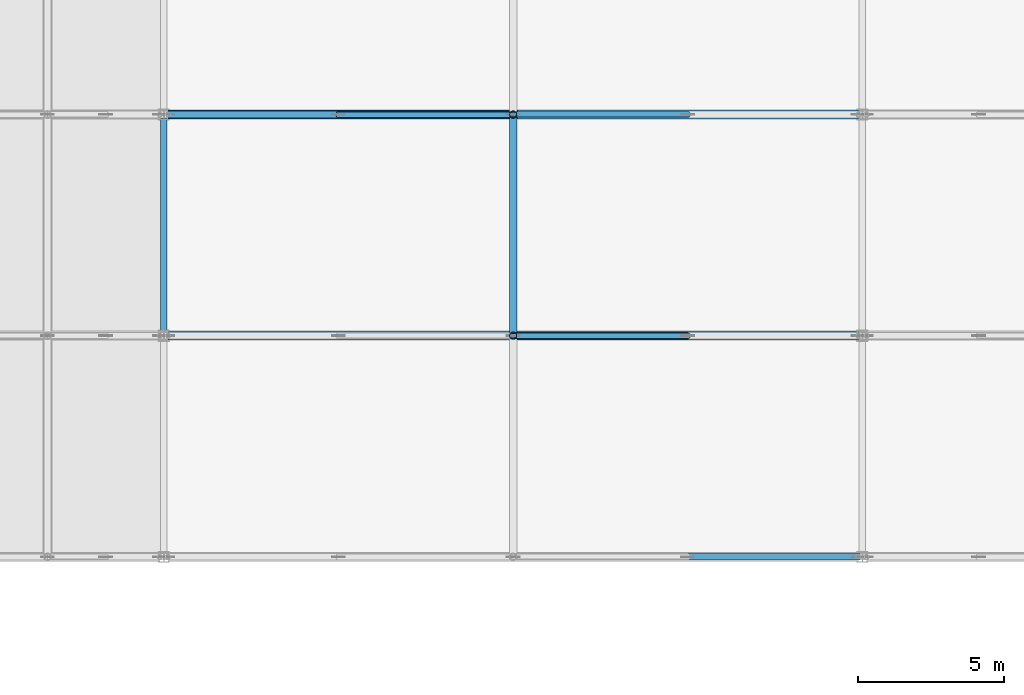
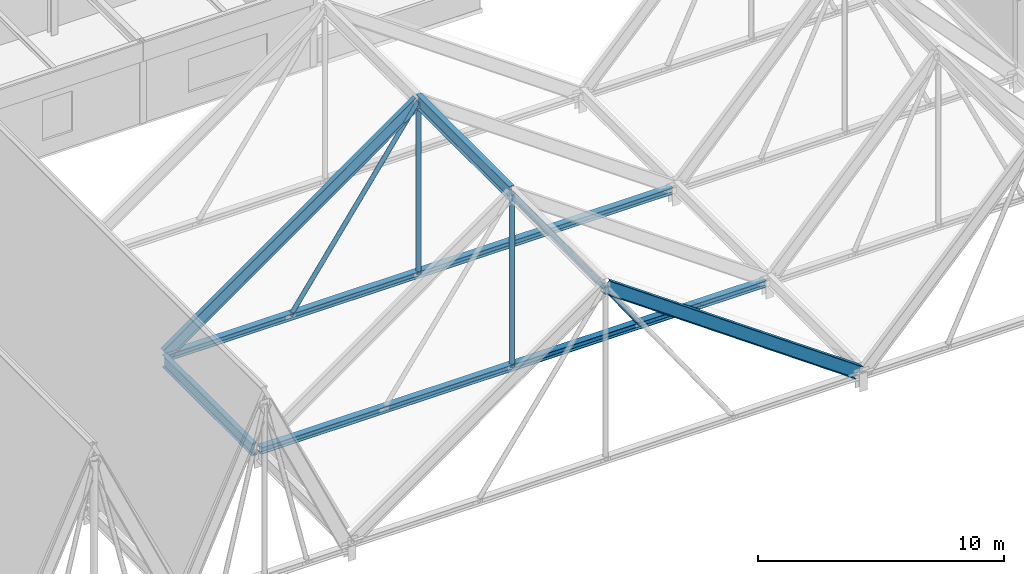
# One storey, part 39 of 85: 7 members, 4 beams.
"""IFC4 building model written with IfcOpenShell, lengths in metres."""

from ifc_helpers import new_model, si_unit, direction, frame, origin, origin_2d, place, context, subcontext, project, spatial, hollow_circle, i_section, extrude, material, material_profile, profile_set, type_object, element, save


model = new_model("IFC4")

# Units and contexts
model_context = context("Model", 3, precision=1e-05, world=origin(), true_north=direction((0.0, 1.0)))
body_context = subcontext(model_context, "Body", "Model", "MODEL_VIEW")
ifc_project = project(units=[si_unit("LENGTHUNIT", "METRE"), si_unit("AREAUNIT", "SQUARE_METRE"), si_unit("VOLUMEUNIT", "CUBIC_METRE"), si_unit("PLANEANGLEUNIT", "RADIAN"), si_unit("MASSUNIT", "GRAM", prefix="KILO")], contexts=[model_context])

# Site, building, storey
site_placement = place(None, origin())
site = spatial("IfcSite", under=ifc_project, at=site_placement, CompositionType="ELEMENT")
building_placement = place(site_placement, origin())
building = spatial("IfcBuilding", under=site, at=building_placement, Name="Zulena Civic Courthouse", CompositionType="ELEMENT")
storey_placement = place(building_placement, frame((0.0, 0.0, 25.199951171875)))
storey = spatial("IfcBuildingStorey", under=building, at=storey_placement, Name="L05", CompositionType="ELEMENT", Elevation=25.199951171875)

# Members
ifc_material_1 = material(Name="Steel ASTM A992 Grade 50", Category="steel")
ifc_material_profile_1 = material_profile(ifc_material_1, i_section(OverallWidth=0.30908203125, OverallDepth=0.322998046875, WebThickness=0.013916015625, FlangeThickness=0.02294921875, FilletRadius=0.01513671875, at=origin_2d()), Name="W12X96")
ifc_profile_set_1 = profile_set([ifc_material_profile_1], Name="Steel ASTM A992 Grade 50")
member_type_1 = type_object("IfcMemberType", Name="Chord_W12X96", PredefinedType="CHORD", material=ifc_profile_set_1)
for number, where, z_axis, x_axis, name in (
    (1, (84.139892578125, 22.800048828125, 0.536376953125), (1.0, 0.0, 0.0), (0.0, 1.0, 0.0), "mem:fold:tie:03:22.8"),
    (2, (84.139892578125, 30.39990234375, 0.536376953125), (1.0, 0.0, 0.0), (0.0, 1.0, 0.0), "mem:fold:tie:03:30.4"),
):
    element("IfcMember", number, at=place(storey_placement, frame(where, z_axis=z_axis, x_axis=x_axis)), inside=storey, type_object=member_type_1, Name=name, PredefinedType="CHORD", context=body_context, shape_type="SweptSolid", body=[
        extrude(i_section(OverallWidth=0.30908203125, OverallDepth=0.322998046875, WebThickness=0.013916015625, FlangeThickness=0.02294921875, FilletRadius=0.01513671875, at=origin_2d()), origin(), (0.0, 0.0, 1.0), 23.72021484375),
    ])

# Beams
ifc_material_profile_2 = material_profile(ifc_material_1, i_section(OverallWidth=0.22802734375, OverallDepth=0.60693359375, WebThickness=0.01123046875, FlangeThickness=0.017333984375, FilletRadius=0.0126953125, at=origin_2d()), Name="W24X76")
ifc_profile_set_2 = profile_set([ifc_material_profile_2], Name="Steel ASTM A992 Grade 50")
beam_type_1 = type_object("IfcBeamType", Name="RoofRafter_W24X76", PredefinedType="BEAM", material=ifc_profile_set_2)
beam_1_placement = place(storey_placement, frame((84.0, 22.93994140625, 0.5029296875), z_axis=(0.0, 1.0, 0.0), x_axis=(-1.0, 0.0, 0.0)))
element("IfcBeam", 3, at=beam_1_placement, inside=storey, type_object=beam_type_1, Name="beam:fold:val:L05:84.0:22.8", PredefinedType="BEAM", context=body_context, shape_type="SweptSolid", body=[
    extrude(i_section(OverallWidth=0.22802734375, OverallDepth=0.60693359375, WebThickness=0.01123046875, FlangeThickness=0.017333984375, FilletRadius=0.0126953125, at=origin_2d()), origin(), (0.0, 0.0, 1.0), 7.320068359375),
])
for number, where, z_axis, x_axis, name in (
    (4, (96.010009765625, 15.199951171875, 9.096435546875), (0.815826895682, 0.0, -0.578296183873), (0.0, 1.0, 0.0), "beam:fold:rafE:03:15.2"),
    (5, (84.139892578125, 30.39990234375, 0.696533203125), (0.815826895682, 0.0, 0.578296183873), (0.0, 1.0, 0.0), "beam:fold:rafW:03:30.4"),
):
    element("IfcBeam", number, at=place(storey_placement, frame(where, z_axis=z_axis, x_axis=x_axis)), inside=storey, type_object=beam_type_1, Name=name, PredefinedType="BEAM", context=body_context, shape_type="SweptSolid", body=[
        extrude(i_section(OverallWidth=0.22802734375, OverallDepth=0.60693359375, WebThickness=0.01123046875, FlangeThickness=0.017333984375, FilletRadius=0.0126953125, at=origin_2d()), origin(), (0.0, 0.0, 1.0), 14.525146484375),
    ])
ifc_material_profile_3 = material_profile(ifc_material_1, i_section(OverallWidth=0.25390625, OverallDepth=0.68798828125, WebThickness=0.01318359375, FlangeThickness=0.02099609375, FilletRadius=0.0166015625, at=origin_2d()), Name="W27X102")
ifc_profile_set_3 = profile_set([ifc_material_profile_3], Name="Steel ASTM A992 Grade 50")
beam_type_2 = type_object("IfcBeamType", Name="RoofRafter_W27X102", PredefinedType="BEAM", material=ifc_profile_set_3)
beam_2_placement = place(storey_placement, frame((96.0, 22.820068359375, 9.096435546875), z_axis=(0.0, 1.0, 0.0), x_axis=(-1.0, 0.0, 0.0)))
element("IfcBeam", 6, at=beam_2_placement, inside=storey, type_object=beam_type_2, Name="beam:fold:ridge:03:22.8", PredefinedType="BEAM", context=body_context, shape_type="SweptSolid", body=[
    extrude(i_section(OverallWidth=0.25390625, OverallDepth=0.68798828125, WebThickness=0.01318359375, FlangeThickness=0.02099609375, FilletRadius=0.0166015625, at=origin_2d()), origin(), (0.0, 0.0, 1.0), 7.559814453125),
])

# Members
ifc_material_2 = material(Name="Steel ASTM A500 Grade C", Category="steel")
ifc_material_profile_4 = material_profile(ifc_material_2, hollow_circle(Radius=0.126953125, WallThickness=0.01171875, at=origin_2d()), Name="HSS10.000X0.500")
ifc_profile_set_4 = profile_set([ifc_material_profile_4], Name="Steel ASTM A500 Grade C")
member_type_2 = type_object("IfcMemberType", Name="RoofWeb_CHS10", PredefinedType="USERDEFINED", material=ifc_profile_set_4)
for number, where, z_axis, x_axis, name in (
    (7, (96.0, 22.800048828125, 0.536376953125), (0.0, 0.0, 1.0), (1.0, 0.0, 0.0), "mem:fold:king:03:22.8"),
    (8, (96.0, 30.39990234375, 0.536376953125), (0.0, 0.0, 1.0), (1.0, 0.0, 0.0), "mem:fold:king:03:30.4"),
):
    element("IfcMember", number, at=place(storey_placement, frame(where, z_axis=z_axis, x_axis=x_axis)), inside=storey, type_object=member_type_2, Name=name, ObjectType="ROOF TRUSS", PredefinedType="USERDEFINED", context=body_context, shape_type="SweptSolid", body=[
        extrude(hollow_circle(Radius=0.126953125, WallThickness=0.01171875, at=origin_2d()), origin(), (0.0, 0.0, 1.0), 8.56005859375),
    ])
ifc_material_profile_5 = material_profile(ifc_material_2, hollow_circle(Radius=0.109619140625, WallThickness=0.0087890625, at=origin_2d()), Name="HSS8.625X0.375")
ifc_profile_set_5 = profile_set([ifc_material_profile_5], Name="Steel ASTM A500 Grade C")
member_type_3 = type_object("IfcMemberType", Name="RoofWeb_CHS8", PredefinedType="USERDEFINED", material=ifc_profile_set_5)
for number, where, z_axis, x_axis, name in (
    (9, (102.0, 22.800048828125, 0.536376953125), (-0.573973222061, 0.0, 0.81887406868), (0.0, -1.0, 0.0), "mem:fold:diagE:03:22.8"),
    (10, (90.0, 30.39990234375, 0.536376953125), (0.573973222061, 0.0, 0.81887406868), (0.0, 1.0, 0.0), "mem:fold:diagW:03:30.4"),
    (11, (102.0, 30.39990234375, 0.536376953125), (-0.573973222061, 0.0, 0.81887406868), (0.0, -1.0, 0.0), "mem:fold:diagE:03:30.4"),
):
    element("IfcMember", number, at=place(storey_placement, frame(where, z_axis=z_axis, x_axis=x_axis)), inside=storey, type_object=member_type_3, Name=name, ObjectType="ROOF TRUSS", PredefinedType="USERDEFINED", context=body_context, shape_type="SweptSolid", body=[
        extrude(hollow_circle(Radius=0.109619140625, WallThickness=0.0087890625, at=origin_2d()), origin(), (0.0, 0.0, 1.0), 10.453369140625),
    ])

save(model, "model.ifc")
